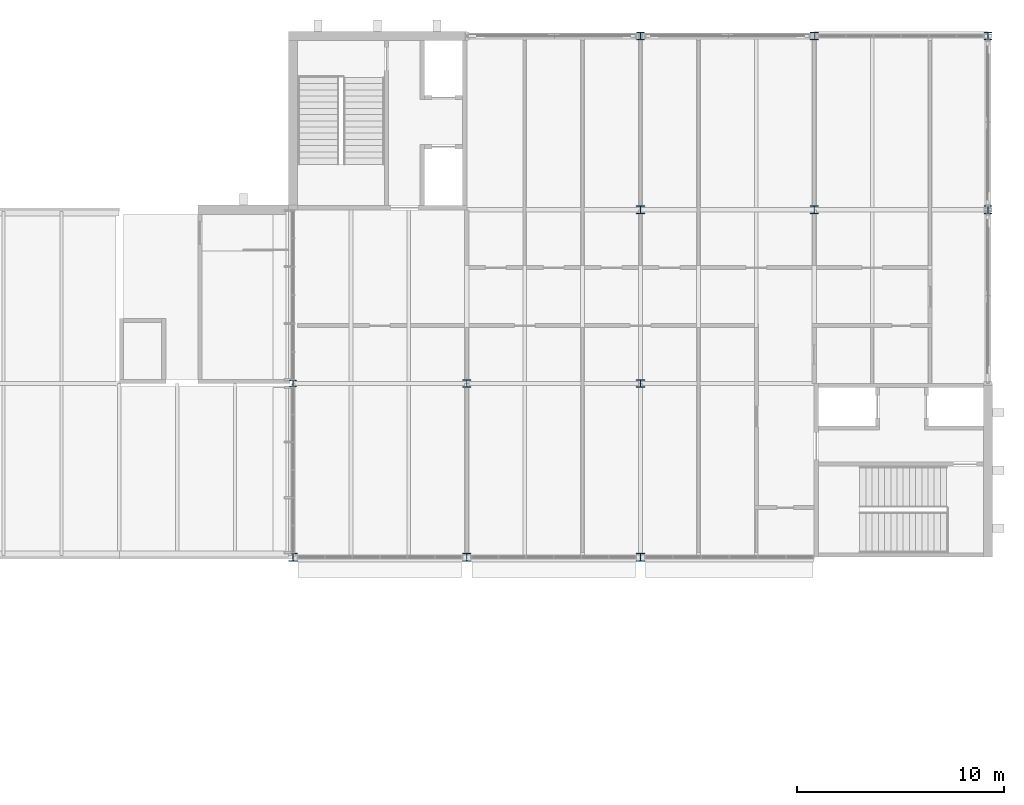
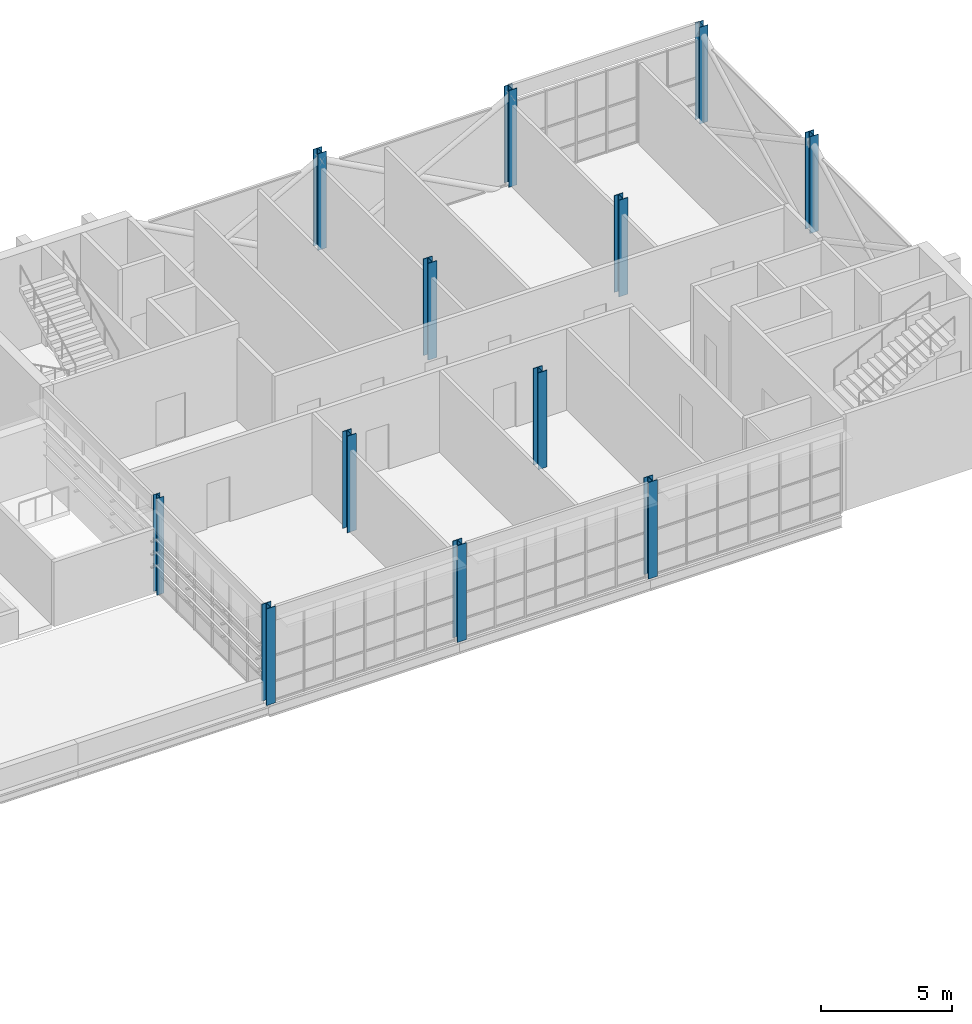
# One storey, part 2 of 29: 12 columns.
"""IFC4 building model written with IfcOpenShell, lengths in metres."""

from ifc_helpers import new_model, si_unit, direction, frame, origin, origin_2d, place, context, subcontext, project, spatial, i_section, extrude, material, material_profile, profile_set, type_object, element, save


model = new_model("IFC4")

# Units and contexts
model_context = context("Model", 3, precision=1e-05, world=origin(), true_north=direction((0.0, 1.0)))
body_context = subcontext(model_context, "Body", "Model", "MODEL_VIEW")
ifc_project = project(units=[si_unit("LENGTHUNIT", "METRE"), si_unit("AREAUNIT", "SQUARE_METRE"), si_unit("VOLUMEUNIT", "CUBIC_METRE"), si_unit("PLANEANGLEUNIT", "RADIAN"), si_unit("MASSUNIT", "GRAM", prefix="KILO")], contexts=[model_context])

# Site, building, storey
site_placement = place(None, origin())
site = spatial("IfcSite", under=ifc_project, at=site_placement, CompositionType="ELEMENT")
building_placement = place(site_placement, origin())
building = spatial("IfcBuilding", under=site, at=building_placement, Name="Ardhachandra Cancer Care Centre", CompositionType="ELEMENT")
storey_placement = place(building_placement, frame((0.0, 0.0, 13.5)))
storey = spatial("IfcBuildingStorey", under=building, at=storey_placement, Name="L03", CompositionType="ELEMENT", Elevation=13.5)

# Columns
ifc_material_1 = material(Name="Steel E350 (IS 2062)", Category="steel")
ifc_material_profile_1 = material_profile(ifc_material_1, i_section(OverallWidth=0.300048828125, OverallDepth=0.300048828125, WebThickness=0.010986328125, FlangeThickness=0.01904296875, FilletRadius=0.027099609375, at=origin_2d()), Name="WPB 300x300x117.03")
ifc_profile_set_1 = profile_set([ifc_material_profile_1], Name="Steel E350 (IS 2062)")
column_type_1 = type_object("IfcColumnType", Name="Column WPB 300x300x117.03", PredefinedType="COLUMN", material=ifc_profile_set_1)
column_placement = place(storey_placement, frame((111.60009765625, 88.199951171875, 0.0), z_axis=(0.0, 0.0, 1.0), x_axis=(1.0, 0.0, 0.0)))
element("IfcColumn", 1, at=column_placement, inside=storey, type_object=column_type_1, Name="Column K13 L03", PredefinedType="COLUMN", context=body_context, shape_type="SweptSolid", body=[
    extrude(i_section(OverallWidth=0.300048828125, OverallDepth=0.300048828125, WebThickness=0.010986328125, FlangeThickness=0.01904296875, FilletRadius=0.027099609375, at=origin_2d()), origin(), (0.0, 0.0, 1.0), 4.5),
])
ifc_material_2 = material(Name="Steel E350 (IS 2062)", Category="steel")
ifc_material_profile_2 = material_profile(ifc_material_2, i_section(OverallWidth=0.37109375, OverallDepth=0.364013671875, WebThickness=0.01318359375, FlangeThickness=0.021728515625, FilletRadius=0.027099609375, at=origin_2d()), Name="WPB 360x370x165.34")
ifc_profile_set_2 = profile_set([ifc_material_profile_2], Name="Steel E350 (IS 2062)")
column_type_2 = type_object("IfcColumnType", Name="Column WPB 360x370x165.34", PredefinedType="COLUMN", material=ifc_profile_set_2)
for number, where, z_axis, x_axis, name in (
    (2, (145.199951171875, 96.60009765625, 0.0), (0.0, 0.0, 1.0), (1.0, 0.0, 0.0), "Column L17 L03"),
    (3, (128.39990234375, 105.0, 0.0), (0.0, 0.0, 1.0), (1.0, 0.0, 0.0), "Column M15 L03"),
    (4, (136.800048828125, 105.0, 0.0), (0.0, 0.0, 1.0), (1.0, 0.0, 0.0), "Column M16 L03"),
    (5, (145.199951171875, 105.0, 0.0), (0.0, 0.0, 1.0), (1.0, 0.0, 0.0), "Column M17 L03"),
):
    element("IfcColumn", number, at=place(storey_placement, frame(where, z_axis=z_axis, x_axis=x_axis)), inside=storey, type_object=column_type_2, Name=name, PredefinedType="COLUMN", context=body_context, shape_type="SweptSolid", body=[
        extrude(i_section(OverallWidth=0.37109375, OverallDepth=0.364013671875, WebThickness=0.01318359375, FlangeThickness=0.021728515625, FilletRadius=0.027099609375, at=origin_2d()), origin(), (0.0, 0.0, 1.0), 4.5),
    ])
ifc_material_3 = material(Name="Steel E350 (IS 2062)", Category="steel")
ifc_material_profile_3 = material_profile(ifc_material_3, i_section(OverallWidth=0.39501953125, OverallDepth=0.3798828125, WebThickness=0.018798828125, FlangeThickness=0.0302734375, FilletRadius=0.027099609375, at=origin_2d()), Name="WPB 400x400x239.62")
ifc_profile_set_3 = profile_set([ifc_material_profile_3], Name="Steel E350 (IS 2062)")
column_type_3 = type_object("IfcColumnType", Name="Column WPB 400x400x239.62", PredefinedType="COLUMN", material=ifc_profile_set_3)
for number, where, z_axis, x_axis, name in (
    (6, (111.60009765625, 79.800048828125, 0.0), (0.0, 0.0, 1.0), (1.0, 0.0, 0.0), "Column J13 L03"),
    (7, (120.0, 79.800048828125, 0.0), (0.0, 0.0, 1.0), (1.0, 0.0, 0.0), "Column J14 L03"),
    (8, (128.39990234375, 79.800048828125, 0.0), (0.0, 0.0, 1.0), (1.0, 0.0, 0.0), "Column J15 L03"),
    (9, (120.0, 88.199951171875, 0.0), (0.0, 0.0, 1.0), (1.0, 0.0, 0.0), "Column K14 L03"),
    (10, (128.39990234375, 88.199951171875, 0.0), (0.0, 0.0, 1.0), (1.0, 0.0, 0.0), "Column K15 L03"),
    (11, (128.39990234375, 96.60009765625, 0.0), (0.0, 0.0, 1.0), (1.0, 0.0, 0.0), "Column L15 L03"),
    (12, (136.800048828125, 96.60009765625, 0.0), (0.0, 0.0, 1.0), (1.0, 0.0, 0.0), "Column L16 L03"),
):
    element("IfcColumn", number, at=place(storey_placement, frame(where, z_axis=z_axis, x_axis=x_axis)), inside=storey, type_object=column_type_3, Name=name, PredefinedType="COLUMN", context=body_context, shape_type="SweptSolid", body=[
        extrude(i_section(OverallWidth=0.39501953125, OverallDepth=0.3798828125, WebThickness=0.018798828125, FlangeThickness=0.0302734375, FilletRadius=0.027099609375, at=origin_2d()), origin(), (0.0, 0.0, 1.0), 4.5),
    ])

save(model, "model.ifc")
